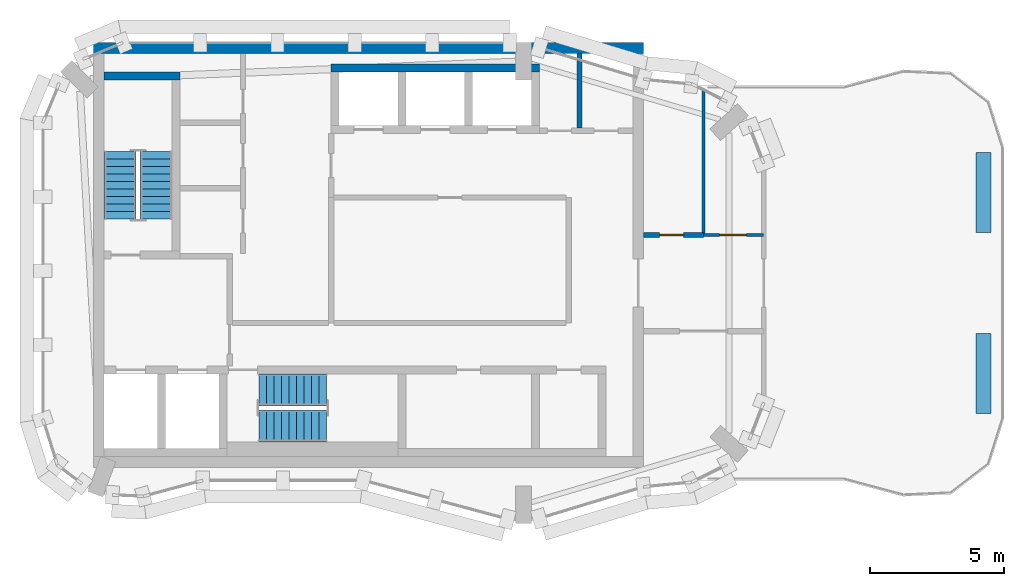
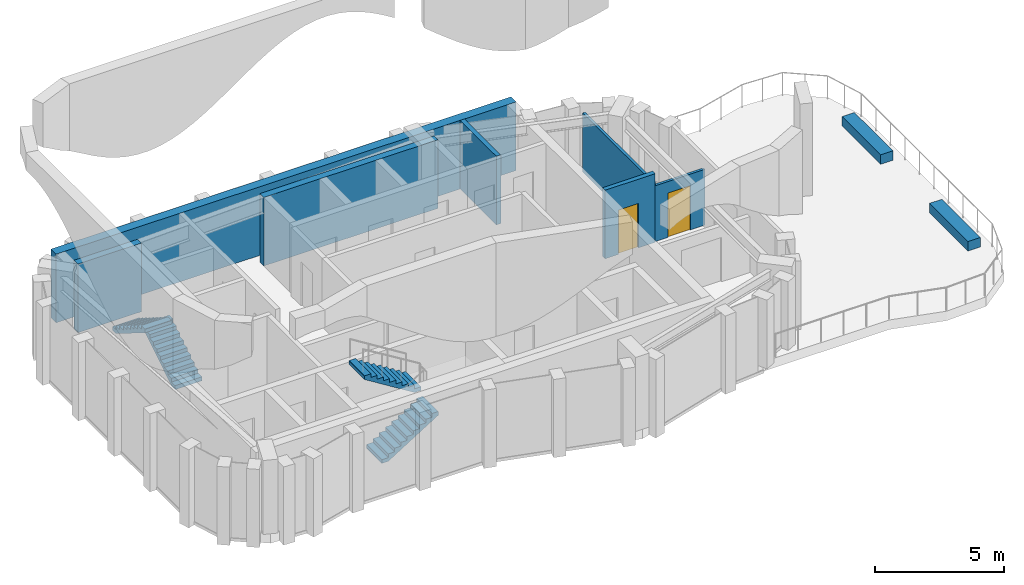
# One storey, part 4 of 7: 9 walls, 4 stair flights, 2 doors, 2 openings, 2 elements without a shape of their own.
"""IFC4 building model written with IfcOpenShell, lengths in metres."""

import ifcopenshell
import ifcopenshell.guid

model = None  # the IFC model being written
_history = None  # IfcOwnerHistory: only IFC2X3 demands one
_inside = {}  # id of a spatial element -> (the spatial element, [elements in it])
_under = {}  # id of a project, library or spatial element -> (it, [spatial elements below it])
_declared = {}  # id of a project -> (the project, [libraries it declares])
_typed = {}  # id of a type object -> (the type object, [elements of that type])
_made_of = {}  # id of a material, layer set ... -> (it, [elements and type objects made of it])


def new_model(schema):
    """Start an empty IFC model of exactly this schema.

    Asked for "IFC4X3", IfcOpenShell would pick the latest addendum, in which some entities
    have other attributes; the version numbers below select the first issue.
    IFC2X3 requires an IfcOwnerHistory on every rooted entity: one is made here for all.
    """
    global model, _history
    if schema == "IFC4X3":
        model = ifcopenshell.file(schema_version=(4, 3, 0, 0))
    else:
        model = ifcopenshell.file(schema=schema)
    _inside.clear()
    _under.clear()
    _declared.clear()
    _typed.clear()
    _made_of.clear()
    _history = None
    if model.schema == "IFC2X3":
        org = make("IfcOrganization", Name="unknown")
        user = make(
            "IfcPersonAndOrganization",
            ThePerson=make("IfcPerson", FamilyName="unknown"),
            TheOrganization=org,
        )
        app = make(
            "IfcApplication",
            ApplicationDeveloper=org,
            Version="unknown",
            ApplicationFullName="unknown",
            ApplicationIdentifier="unknown",
        )
        _history = make(
            "IfcOwnerHistory",
            OwningUser=user,
            OwningApplication=app,
            ChangeAction="ADDED",
            CreationDate=0,
        )
    return model


def make(cls, **values):
    """One entity of the class cls with the attributes given. An attribute that is None is left unset."""
    return model.create_entity(
        cls, **{name: value for name, value in values.items() if value is not None}
    )


def rooted(cls, **values):
    """An entity with a GlobalId (a new one), such as an element, a storey or a relation."""
    return make(cls, GlobalId=ifcopenshell.guid.new(), OwnerHistory=_history, **values)


def si_unit(unit_type, name, prefix=None):
    """IfcSIUnit, for example si_unit("LENGTHUNIT", "METRE", prefix="MILLI")."""
    return make("IfcSIUnit", UnitType=unit_type, Prefix=prefix, Name=name)


def assignment(units):
    """IfcUnitAssignment: the units of a project."""
    return None if units is None else make("IfcUnitAssignment", Units=units)


def point(xyz):
    """IfcCartesianPoint."""
    return None if xyz is None else make("IfcCartesianPoint", Coordinates=xyz)


def direction(xyz):
    """IfcDirection."""
    return None if xyz is None else make("IfcDirection", DirectionRatios=xyz)


def frame(location, z_axis=None, x_axis=None):
    """IfcAxis2Placement3D, a coordinate frame: its origin and axes. An axis left out is left unset."""
    return make(
        "IfcAxis2Placement3D",
        Location=point(location),
        Axis=direction(z_axis),
        RefDirection=direction(x_axis),
    )


def frame_2d(location, x_axis=None):
    """IfcAxis2Placement2D, a coordinate frame in the plane: its origin and x axis."""
    return make(
        "IfcAxis2Placement2D", Location=point(location), RefDirection=direction(x_axis)
    )


def origin():
    """The frame at (0, 0, 0) with its axes left unset."""
    return frame((0.0, 0.0, 0.0))


def place(relative_to, where):
    """IfcLocalPlacement: puts the frame where relative to a parent placement (None: the world)."""
    return make(
        "IfcLocalPlacement", PlacementRelTo=relative_to, RelativePlacement=where
    )


def context(
    kind, dimensions, precision=None, world=None, true_north=None, identifier=None
):
    """IfcGeometricRepresentationContext, for example the 3D "Model" context."""
    return make(
        "IfcGeometricRepresentationContext",
        ContextIdentifier=identifier,
        ContextType=kind,
        CoordinateSpaceDimension=dimensions,
        Precision=precision,
        WorldCoordinateSystem=world,
        TrueNorth=true_north,
    )


def subcontext(parent, identifier, kind, view, scale=None):
    """IfcGeometricRepresentationSubContext, for example "Body" below "Model"."""
    return make(
        "IfcGeometricRepresentationSubContext",
        ContextIdentifier=identifier,
        ContextType=kind,
        ParentContext=parent,
        TargetScale=scale,
        TargetView=view,
    )


def project(units=None, contexts=None):
    """IfcProject with its units and contexts."""
    return rooted(
        "IfcProject",
        Name="project",
        RepresentationContexts=contexts,
        UnitsInContext=assignment(units),
    )


def spatial(cls, under=None, at=None, **own):
    """A site, building, storey or space (cls), placed at a placement, below another one or the project."""
    s = rooted(cls, ObjectPlacement=at, **own)
    if under is not None:
        _under.setdefault(under.id(), (under, []))[1].append(s)
    return s


def polyline(points):
    """IfcPolyline through the points."""
    return make("IfcPolyline", Points=[point(p) for p in points])


def profile(cls, at=None, kind="AREA", **sizes):
    """A parametric profile (cls). Its sizes go by their IFC names, for example OverallWidth=200.0."""
    return make(cls, ProfileType=kind, Position=at, **sizes)


def rectangle(**sizes):
    """IfcRectangleProfileDef."""
    return profile("IfcRectangleProfileDef", **sizes)


def outline(outer, holes=None, kind="AREA"):
    """IfcArbitraryClosedProfileDef: a profile drawn as a closed curve; with holes, ...WithVoids."""
    if holes is None:
        return make("IfcArbitraryClosedProfileDef", ProfileType=kind, OuterCurve=outer)
    return make(
        "IfcArbitraryProfileDefWithVoids",
        ProfileType=kind,
        OuterCurve=outer,
        InnerCurves=holes,
    )


def extrude(swept, where, along, depth):
    """IfcExtrudedAreaSolid: the profile swept, set in the frame where, extruded along a direction by depth."""
    return make(
        "IfcExtrudedAreaSolid",
        SweptArea=swept,
        Position=where,
        ExtrudedDirection=direction(along),
        Depth=depth,
    )


def shape(context_of_items, identifier, shape_type, items):
    """IfcShapeRepresentation: the items that make up one representation, for example the "Body"."""
    return make(
        "IfcShapeRepresentation",
        ContextOfItems=context_of_items,
        RepresentationIdentifier=identifier,
        RepresentationType=shape_type,
        Items=items,
    )


def material(Name=None, Category=None):
    """IfcMaterial."""
    return make("IfcMaterial", Name=Name, Category=Category)


def layer(
    of_material, thickness, ventilated=None, Name=None, Category=None, Priority=None
):
    """IfcMaterialLayer: one layer of a wall or slab, of a material (None: an air gap)."""
    return make(
        "IfcMaterialLayer",
        Material=of_material,
        LayerThickness=thickness,
        IsVentilated=ventilated,
        Name=Name,
        Category=Category,
        Priority=Priority,
    )


def layer_set(layers, Name=None):
    """IfcMaterialLayerSet."""
    return make("IfcMaterialLayerSet", MaterialLayers=layers, LayerSetName=Name)


def made_of(thing, what):
    """Note that an element or type object is made of a material, layer set ...; save() writes the relation."""
    if what is not None:
        _made_of.setdefault(what.id(), (what, []))[1].append(thing)
    return thing


def type_object(cls, material=None, **own):
    """A type object (cls), such as IfcWallType, which elements share."""
    return made_of(rooted(cls, **own), material)


def element(
    cls,
    number,
    at=None,
    inside=None,
    cuts=None,
    type_object=None,
    material=None,
    context=None,
    identifier="Body",
    shape_type=None,
    held_by="IfcProductDefinitionShape",
    body=None,
    shapes=None,
    **own,
):
    """One element of the class cls, such as IfcWall. Its Tag is "e" and its number.

    at: its placement. inside: the storey or other place that contains it. cuts: it is an
    opening in that element (IfcRelVoidsElement). A single representation is given by context,
    identifier, shape_type and body (its items); several are given by shapes. held_by: the class
    of the entity that holds the representations. save() writes the other relations.
    """
    e = rooted(cls, Tag="e%d" % number, ObjectPlacement=at, **own)
    if body is not None:
        shapes = [shape(context, identifier, shape_type, body)]
    if shapes is not None:
        e.Representation = make(held_by, Representations=shapes)
    if inside is not None:
        _inside.setdefault(inside.id(), (inside, []))[1].append(e)
    if cuts is not None:
        rooted(
            "IfcRelVoidsElement", RelatingBuildingElement=cuts, RelatedOpeningElement=e
        )
    if type_object is not None:
        _typed.setdefault(type_object.id(), (type_object, []))[1].append(e)
    return made_of(e, material)


def fill(opening, filler):
    """IfcRelFillsElement: the door or window that sits in an opening."""
    return rooted(
        "IfcRelFillsElement",
        RelatingOpeningElement=opening,
        RelatedBuildingElement=filler,
    )


def aggregate(whole, parts):
    """IfcRelAggregates: a whole, such as a stair, and the parts it consists of."""
    return rooted("IfcRelAggregates", RelatingObject=whole, RelatedObjects=parts)


def save(model, path):
    """Write the relations noted so far, then the file.

    IfcRelAggregates (storeys below a building ...), IfcRelContainedInSpatialStructure (elements
    in a storey), IfcRelDefinesByType, IfcRelAssociatesMaterial and IfcRelDeclares: one each for
    every whole, place, type object, material and project.
    """
    for whole, parts in _under.values():
        aggregate(whole, parts)
    for where, things in _inside.values():
        rooted(
            "IfcRelContainedInSpatialStructure",
            RelatedElements=things,
            RelatingStructure=where,
        )
    for kind, things in _typed.values():
        rooted("IfcRelDefinesByType", RelatedObjects=things, RelatingType=kind)
    for what, things in _made_of.values():
        rooted("IfcRelAssociatesMaterial", RelatedObjects=things, RelatingMaterial=what)
    for by, libraries in _declared.values():
        rooted("IfcRelDeclares", RelatingContext=by, RelatedDefinitions=libraries)
    model.write(path)


model = new_model("IFC4")

# Units and contexts
model_context = context("Model", 3, precision=1e-05, world=origin(), true_north=direction((0.0, 1.0)))
body_context = subcontext(model_context, "Body", "Model", "MODEL_VIEW")
ifc_project = project(units=[si_unit("LENGTHUNIT", "METRE"), si_unit("AREAUNIT", "SQUARE_METRE"), si_unit("VOLUMEUNIT", "CUBIC_METRE"), si_unit("PLANEANGLEUNIT", "RADIAN"), si_unit("MASSUNIT", "GRAM", prefix="KILO")], contexts=[model_context])

# Site, building, storey
site_placement = place(None, origin())
site = spatial("IfcSite", under=ifc_project, at=site_placement, CompositionType="ELEMENT")
building_placement = place(site_placement, origin())
building = spatial("IfcBuilding", under=site, at=building_placement, Name="Plateau Cross Towers", CompositionType="ELEMENT")
storey_placement = place(building_placement, frame((0.0, 0.0, 301.89990234375)))
storey = spatial("IfcBuildingStorey", under=building, at=storey_placement, Name="L80 Crown 3", CompositionType="ELEMENT", Elevation=301.89990234375)

# Walls
ifc_material_1 = material(Name="Concrete block, plastered both sides", Category="concrete")
ifc_layer_1 = layer(ifc_material_1, 0.199951171875)
ifc_layer_set_1 = layer_set([ifc_layer_1], Name="Concrete block, plastered both sides")
wall_type_1 = type_object("IfcWallType", Name="Core partition 200", PredefinedType="PARTITIONING", material=ifc_layer_set_1)
wall_1_placement = place(storey_placement, frame((20.10009765625, 14.800048828125, 0.0), z_axis=(0.0, 0.0, 1.0), x_axis=(0.0, 1.0, 0.0)))
element("IfcWall", 1, at=wall_1_placement, inside=storey, type_object=wall_type_1, Name="Core partition", PredefinedType="PARTITIONING", context=body_context, shape_type="SweptSolid", body=[
    extrude(rectangle(XDim=2.800048828125, YDim=0.199951171875, at=frame_2d((1.39990234375, 0.0))), origin(), (0.0, 0.0, 1.0), 3.25),
])
ifc_material_2 = material(Name="Concrete C60/75", Category="concrete")
ifc_layer_2 = layer(ifc_material_2, 0.300048828125)
ifc_layer_set_2 = layer_set([ifc_layer_2], Name="Concrete C60/75")
wall_type_2 = type_object("IfcWallType", Name="Core shaft wall 300", PredefinedType="SHEAR", material=ifc_layer_set_2)
wall_2_placement = place(storey_placement, frame((2.300048828125, 16.75, 0.0), z_axis=(0.0, 0.0, 1.0), x_axis=(1.0, 0.0, 0.0)))
element("IfcWall", 2, at=wall_2_placement, inside=storey, type_object=wall_type_2, Name="A-st1-N@L80 Crown 3", PredefinedType="SHEAR", context=body_context, shape_type="SweptSolid", body=[
    extrude(rectangle(XDim=2.849853515625, YDim=0.300048828125, at=frame_2d((1.4248046875, 0.0))), origin(), (0.0, 0.0, 1.0), 3.25),
])
wall_3_placement = place(storey_placement, frame((10.800048828125, 17.050048828125, 0.0), z_axis=(0.0, 0.0, 1.0), x_axis=(1.0, 0.0, 0.0)))
element("IfcWall", 3, at=wall_3_placement, inside=storey, type_object=wall_type_2, Name="A-nb-back@L80 Crown 3", PredefinedType="SHEAR", context=body_context, shape_type="SweptSolid", body=[
    extrude(rectangle(XDim=7.800048828125, YDim=0.300048828125, at=frame_2d((3.89990234375, 0.0))), origin(), (0.0, 0.0, 1.0), 3.25),
])
ifc_layer_3 = layer(ifc_material_2, 0.39990234375)
ifc_layer_set_3 = layer_set([ifc_layer_3], Name="Concrete C60/75")
wall_type_3 = type_object("IfcWallType", Name="Core shell wall 400", PredefinedType="SHEAR", material=ifc_layer_set_3)
wall_4_placement = place(storey_placement, frame((1.89990234375, 17.800048828125, 0.0), z_axis=(0.0, 0.0, 1.0), x_axis=(1.0, 0.0, 0.0)))
element("IfcWall", 4, at=wall_4_placement, inside=storey, type_object=wall_type_3, Name="A-core-N@L80 Crown 3", PredefinedType="SHEAR", context=body_context, shape_type="SweptSolid", body=[
    extrude(rectangle(XDim=20.60009765625, YDim=0.39990234375, at=frame_2d((10.300048828125, 0.0))), origin(), (0.0, 0.0, 1.0), 3.25),
])
ifc_material_3 = material(Name="Concrete C30/37", Category="concrete")
ifc_layer_4 = layer(ifc_material_3, 0.550048828125)
ifc_layer_set_4 = layer_set([ifc_layer_4], Name="Concrete C30/37")
wall_type_4 = type_object("IfcWallType", Name="Planter upstand 550", PredefinedType="STANDARD", material=ifc_layer_set_4)
for number, where, z_axis, x_axis, name in (
    (5, (35.235107421875, 13.880126953125, 0.0), (0.0, 0.0, 1.0), (0.0, -1.0, 0.0), "Planter 1"),
    (6, (35.235107421875, 7.106689453125, 0.0), (0.0, 0.0, 1.0), (0.0, -1.0, 0.0), "Planter 2"),
):
    element("IfcWall", number, at=place(storey_placement, frame(where, z_axis=z_axis, x_axis=x_axis)), inside=storey, type_object=wall_type_4, Name=name, PredefinedType="STANDARD", context=body_context, shape_type="SweptSolid", body=[
        extrude(rectangle(XDim=2.98681640625, YDim=0.550048828125, at=frame_2d((1.493408203125, 0.0))), origin(), (0.0, 0.0, 1.0), 0.4501953125),
    ])

# Wall, opening, door
ifc_material_4 = material(Name="Gypsum board on steel studs", Category="steel")
ifc_layer_5 = layer(ifc_material_4, 0.199951171875)
ifc_layer_set_5 = layer_set([ifc_layer_5], Name="Gypsum board on steel studs")
wall_type_5 = type_object("IfcWallType", Name="Podium partition 200", PredefinedType="PARTITIONING", material=ifc_layer_set_5)
wall_5_placement = place(storey_placement, frame((22.5, 10.800048828125, 0.0), z_axis=(0.0, 0.0, 1.0), x_axis=(1.0, 0.0, 0.0)))
wall_5 = element("IfcWall", 7, at=wall_5_placement, inside=storey, type_object=wall_type_5, Name="Partition wall", PredefinedType="PARTITIONING", context=body_context, shape_type="SweptSolid", body=[
    extrude(rectangle(XDim=2.25, YDim=0.199951171875, at=frame_2d((1.125, 0.0))), origin(), (0.0, 0.0, 1.0), 3.25),
])
opening_1_placement = place(wall_5_placement, frame((0.60009765625, 0.0, 0.0)))
opening_1 = element("IfcOpeningElement", 8, at=opening_1_placement, cuts=wall_5, Name="Opening 803-01", PredefinedType="OPENING", context=body_context, shape_type="SweptSolid", body=[
    extrude(rectangle(XDim=0.89990234375, YDim=2.10009765625, at=frame_2d((0.449951171875, 1.050048828125))), frame((0.0, 0.10986328125, 0.0), z_axis=(0.0, -1.0, 0.0), x_axis=(1.0, 0.0, 0.0)), (0.0, 0.0, 1.0), 0.219970703125),
])
ifc_material_5 = material(Name="Timber leaf", Category="wood")
door_type_1 = type_object("IfcDoorType", Name="Podium room door 900", OperationType="NOTDEFINED", PredefinedType="DOOR", material=ifc_material_5)
door_1_placement = place(opening_1_placement, origin())
door_1 = element("IfcDoor", 9, at=door_1_placement, inside=storey, type_object=door_type_1, Name="Door 803-01", OperationType="SINGLE_SWING_LEFT", OverallHeight=2.10009765625, OverallWidth=0.89990234375, PredefinedType="DOOR", context=body_context, shape_type="SweptSolid", body=[
    extrude(rectangle(XDim=0.89990234375, YDim=2.10009765625, at=frame_2d((0.449951171875, 1.050048828125))), frame((0.0, 0.02490234375, 0.0), z_axis=(0.0, -1.0, 0.0), x_axis=(1.0, 0.0, 0.0)), (0.0, 0.0, 1.0), 0.050048828125),
])
fill(opening_1, door_1)

# Wall
ifc_material_6 = material(Name="Moisture-resistant board on steel studs, tiled one side", Category="steel")
ifc_layer_6 = layer(ifc_material_6, 0.1201171875)
ifc_layer_set_6 = layer_set([ifc_layer_6], Name="Moisture-resistant board on steel studs, tiled one side")
wall_type_6 = type_object("IfcWallType", Name="Sanitary partition 120", PredefinedType="PARTITIONING", material=ifc_layer_set_6)
wall_6_placement = place(storey_placement, frame((24.75, 16.23193359375, 0.0), z_axis=(0.0, 0.0, 1.0), x_axis=(0.0, -1.0, 0.0)))
element("IfcWall", 10, at=wall_6_placement, inside=storey, type_object=wall_type_6, Name="Partition wall", PredefinedType="PARTITIONING", context=body_context, shape_type="SweptSolid", body=[
    extrude(rectangle(XDim=5.431884765625, YDim=0.1201171875, at=frame_2d((2.7158203125, 0.0))), origin(), (0.0, 0.0, 1.0), 2.797119140625),
])

# Wall, opening, door
wall_7_placement = place(storey_placement, frame((24.75, 10.800048828125, 0.0), z_axis=(0.0, 0.0, 1.0), x_axis=(1.0, 0.0, 0.0)))
wall_7 = element("IfcWall", 11, at=wall_7_placement, inside=storey, type_object=wall_type_6, Name="Partition wall", PredefinedType="PARTITIONING", context=body_context, shape_type="SweptSolid", body=[
    extrude(rectangle(XDim=2.25, YDim=0.1201171875, at=frame_2d((1.125, 0.0))), origin(), (0.0, 0.0, 1.0), 2.64208984375),
])
opening_2_placement = place(wall_7_placement, frame((0.60009765625, 0.0, 0.0)))
opening_2 = element("IfcOpeningElement", 12, at=opening_2_placement, cuts=wall_7, Name="Opening 803-02", PredefinedType="OPENING", context=body_context, shape_type="SweptSolid", body=[
    extrude(rectangle(XDim=1.0, YDim=2.10009765625, at=frame_2d((0.5, 1.050048828125))), frame((0.0, 0.070068359375, 0.0), z_axis=(0.0, -1.0, 0.0), x_axis=(1.0, 0.0, 0.0)), (0.0, 0.0, 1.0), 0.14013671875),
])
door_type_2 = type_object("IfcDoorType", Name="Podium clinic door 1000", OperationType="NOTDEFINED", PredefinedType="DOOR", material=ifc_material_5)
door_2_placement = place(opening_2_placement, origin())
door_2 = element("IfcDoor", 13, at=door_2_placement, inside=storey, type_object=door_type_2, Name="Door 803-02", OperationType="SINGLE_SWING_LEFT", OverallHeight=2.10009765625, OverallWidth=1.0, PredefinedType="DOOR", context=body_context, shape_type="SweptSolid", body=[
    extrude(rectangle(XDim=1.0, YDim=2.10009765625, at=frame_2d((0.5, 1.050048828125))), frame((0.0, 0.02490234375, 0.0), z_axis=(0.0, -1.0, 0.0), x_axis=(1.0, 0.0, 0.0)), (0.0, 0.0, 1.0), 0.050048828125),
])
fill(opening_2, door_2)

# Stair, stair flights
ifc_material_7 = material(Name="Concrete C40/50", Category="concrete")
stair_type = type_object("IfcStairType", Name="ST-TWR", PredefinedType="HALF_TURN_STAIR", material=ifc_material_7)
stair_1_placement = place(storey_placement, origin())
stair_1 = element("IfcStair", 14, at=stair_1_placement, inside=storey, type_object=stair_type, Name="L80 Crown 3 Protected Exit Stair ST-1", PredefinedType="HALF_TURN_STAIR")
stair_flight_type = type_object("IfcStairFlightType", Name="SFL-RC", PredefinedType="STRAIGHT", material=ifc_material_7)
stair_flight_1_placement = place(storey_placement, frame((4.25, 11.39990234375, 0.0), z_axis=(0.0, 0.0, 1.0), x_axis=(0.0, 1.0, 0.0)))
stair_flight_1 = element("IfcStairFlight", 15, at=stair_flight_1_placement, type_object=stair_flight_type, Name="ST-1 flight 1", NumberOfRisers=10, NumberOfTreads=9, PredefinedType="STRAIGHT", RiserHeight=0.175, TreadLength=0.28, context=body_context, shape_type="SweptSolid", body=[
    extrude(outline(polyline([(-0.0048828125, -0.010009765625), (-0.0048828125, 0.0), (0.0, 0.0), (0.0, 0.175048828125), (0.280029296875, 0.175048828125), (0.280029296875, 0.35009765625), (0.56005859375, 0.35009765625), (0.56005859375, 0.52490234375), (0.840087890625, 0.52490234375), (0.840087890625, 0.699951171875), (1.1201171875, 0.699951171875), (1.1201171875, 0.875), (1.39990234375, 0.875), (1.39990234375, 1.050048828125), (1.679931640625, 1.050048828125), (1.679931640625, 1.22509765625), (1.9599609375, 1.22509765625), (1.9599609375, 1.39990234375), (2.239990234375, 1.39990234375), (2.239990234375, 1.574951171875), (2.52001953125, 1.574951171875), (2.52490234375, 1.56494140625), (2.52490234375, 1.398193359375), (2.52001953125, 1.398193359375), (0.28271484375, 0.0), (0.02001953125, 0.0), (0.02001953125, -0.010009765625), (-0.0048828125, -0.010009765625)])), frame((0.0, 0.60009765625, 0.0), z_axis=(0.0, -1.0, 0.0), x_axis=(1.0, 0.0, 0.0)), (0.0, 0.0, 1.0), 1.199951171875),
])
stair_flight_2_placement = place(storey_placement, frame((2.89990234375, 13.919921875, 1.75), z_axis=(0.0, 0.0, 1.0), x_axis=(0.0, -1.0, 0.0)))
stair_flight_2 = element("IfcStairFlight", 16, at=stair_flight_2_placement, type_object=stair_flight_type, Name="ST-1 flight 2", NumberOfRisers=10, NumberOfTreads=9, PredefinedType="STRAIGHT", RiserHeight=0.175, TreadLength=0.28, context=body_context, shape_type="SweptSolid", body=[
    extrude(outline(polyline([(-0.0048828125, -0.010009765625), (-0.0048828125, 0.0), (0.0, 0.0), (0.0, 0.175048828125), (0.280029296875, 0.175048828125), (0.280029296875, 0.35009765625), (0.56005859375, 0.35009765625), (0.56005859375, 0.52490234375), (0.840087890625, 0.52490234375), (0.840087890625, 0.699951171875), (1.1201171875, 0.699951171875), (1.1201171875, 0.875), (1.39990234375, 0.875), (1.39990234375, 1.050048828125), (1.679931640625, 1.050048828125), (1.679931640625, 1.22509765625), (1.9599609375, 1.22509765625), (1.9599609375, 1.39990234375), (2.239990234375, 1.39990234375), (2.239990234375, 1.574951171875), (2.52001953125, 1.574951171875), (2.52490234375, 1.56494140625), (2.52490234375, 1.398193359375), (2.52001953125, 1.398193359375), (0.28271484375, 0.0), (0.02001953125, 0.0), (0.02001953125, -0.010009765625), (-0.0048828125, -0.010009765625)])), frame((0.0, 0.60009765625, 0.0), z_axis=(0.0, -1.0, 0.0), x_axis=(1.0, 0.0, 0.0)), (0.0, 0.0, 1.0), 1.199951171875),
])
aggregate(stair_1, [stair_flight_1, stair_flight_2])

stair_2_placement = place(storey_placement, origin())
stair_2 = element("IfcStair", 17, at=stair_2_placement, inside=storey, type_object=stair_type, Name="L80 Crown 3 Protected Exit Stair ST-2", PredefinedType="HALF_TURN_STAIR")
stair_flight_3_placement = place(storey_placement, frame((8.10009765625, 3.64990234375, 0.0), z_axis=(0.0, 0.0, 1.0), x_axis=(1.0, 0.0, 0.0)))
stair_flight_3 = element("IfcStairFlight", 18, at=stair_flight_3_placement, type_object=stair_flight_type, Name="ST-2 flight 1", NumberOfRisers=10, NumberOfTreads=9, PredefinedType="STRAIGHT", RiserHeight=0.175, TreadLength=0.28, context=body_context, shape_type="SweptSolid", body=[
    extrude(outline(polyline([(-0.0048828125, -0.010009765625), (-0.0048828125, 0.0), (0.0, 0.0), (0.0, 0.175048828125), (0.280029296875, 0.175048828125), (0.280029296875, 0.35009765625), (0.56005859375, 0.35009765625), (0.56005859375, 0.52490234375), (0.840087890625, 0.52490234375), (0.840087890625, 0.699951171875), (1.1201171875, 0.699951171875), (1.1201171875, 0.875), (1.39990234375, 0.875), (1.39990234375, 1.050048828125), (1.679931640625, 1.050048828125), (1.679931640625, 1.22509765625), (1.9599609375, 1.22509765625), (1.9599609375, 1.39990234375), (2.239990234375, 1.39990234375), (2.239990234375, 1.574951171875), (2.52001953125, 1.574951171875), (2.52490234375, 1.56494140625), (2.52490234375, 1.398193359375), (2.52001953125, 1.398193359375), (0.28271484375, 0.0), (0.02001953125, 0.0), (0.02001953125, -0.010009765625), (-0.0048828125, -0.010009765625)])), frame((0.0, 0.60009765625, 0.0), z_axis=(0.0, -1.0, 0.0), x_axis=(1.0, 0.0, 0.0)), (0.0, 0.0, 1.0), 1.199951171875),
])
stair_flight_4_placement = place(storey_placement, frame((10.6201171875, 5.0, 1.75), z_axis=(0.0, 0.0, 1.0), x_axis=(-1.0, 0.0, 0.0)))
stair_flight_4 = element("IfcStairFlight", 19, at=stair_flight_4_placement, type_object=stair_flight_type, Name="ST-2 flight 2", NumberOfRisers=10, NumberOfTreads=9, PredefinedType="STRAIGHT", RiserHeight=0.175, TreadLength=0.28, context=body_context, shape_type="SweptSolid", body=[
    extrude(outline(polyline([(-0.0048828125, -0.010009765625), (-0.0048828125, 0.0), (0.0, 0.0), (0.0, 0.175048828125), (0.280029296875, 0.175048828125), (0.280029296875, 0.35009765625), (0.56005859375, 0.35009765625), (0.56005859375, 0.52490234375), (0.840087890625, 0.52490234375), (0.840087890625, 0.699951171875), (1.1201171875, 0.699951171875), (1.1201171875, 0.875), (1.39990234375, 0.875), (1.39990234375, 1.050048828125), (1.679931640625, 1.050048828125), (1.679931640625, 1.22509765625), (1.9599609375, 1.22509765625), (1.9599609375, 1.39990234375), (2.239990234375, 1.39990234375), (2.239990234375, 1.574951171875), (2.52001953125, 1.574951171875), (2.52490234375, 1.56494140625), (2.52490234375, 1.398193359375), (2.52001953125, 1.398193359375), (0.28271484375, 0.0), (0.02001953125, 0.0), (0.02001953125, -0.010009765625), (-0.0048828125, -0.010009765625)])), frame((0.0, 0.60009765625, 0.0), z_axis=(0.0, -1.0, 0.0), x_axis=(1.0, 0.0, 0.0)), (0.0, 0.0, 1.0), 1.199951171875),
])
aggregate(stair_2, [stair_flight_3, stair_flight_4])

save(model, "model.ifc")
